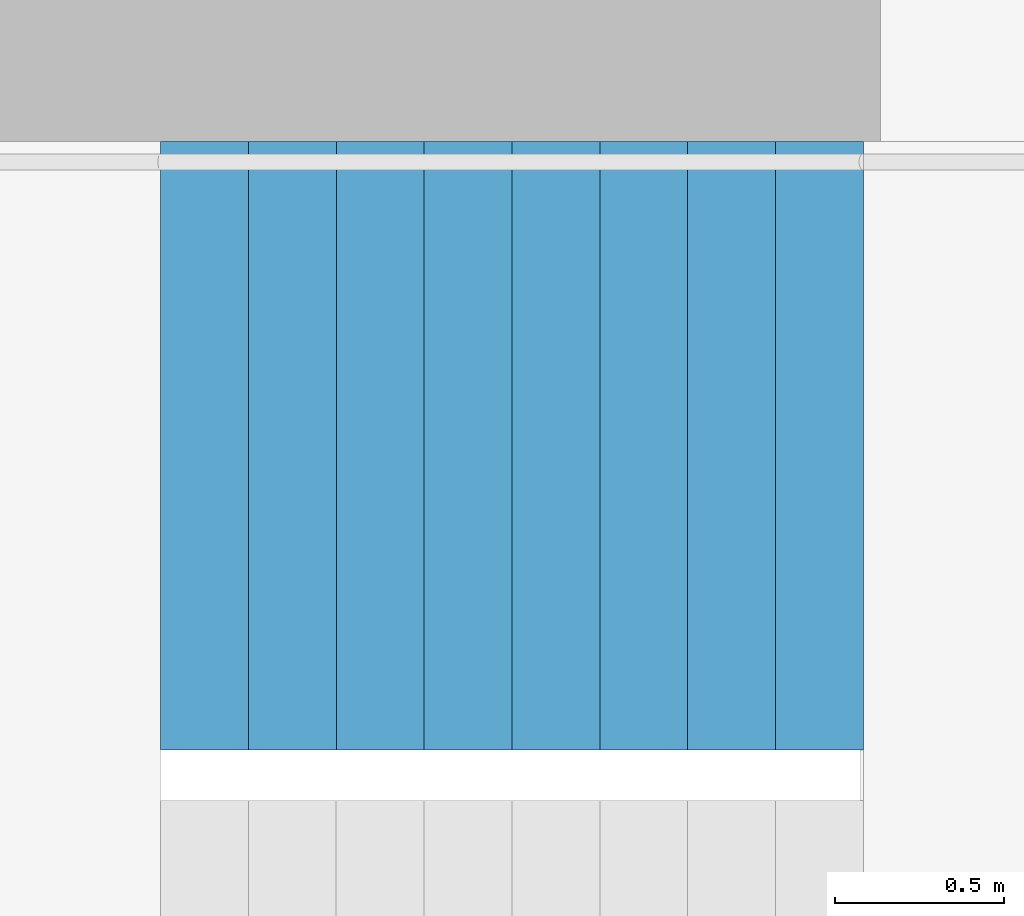
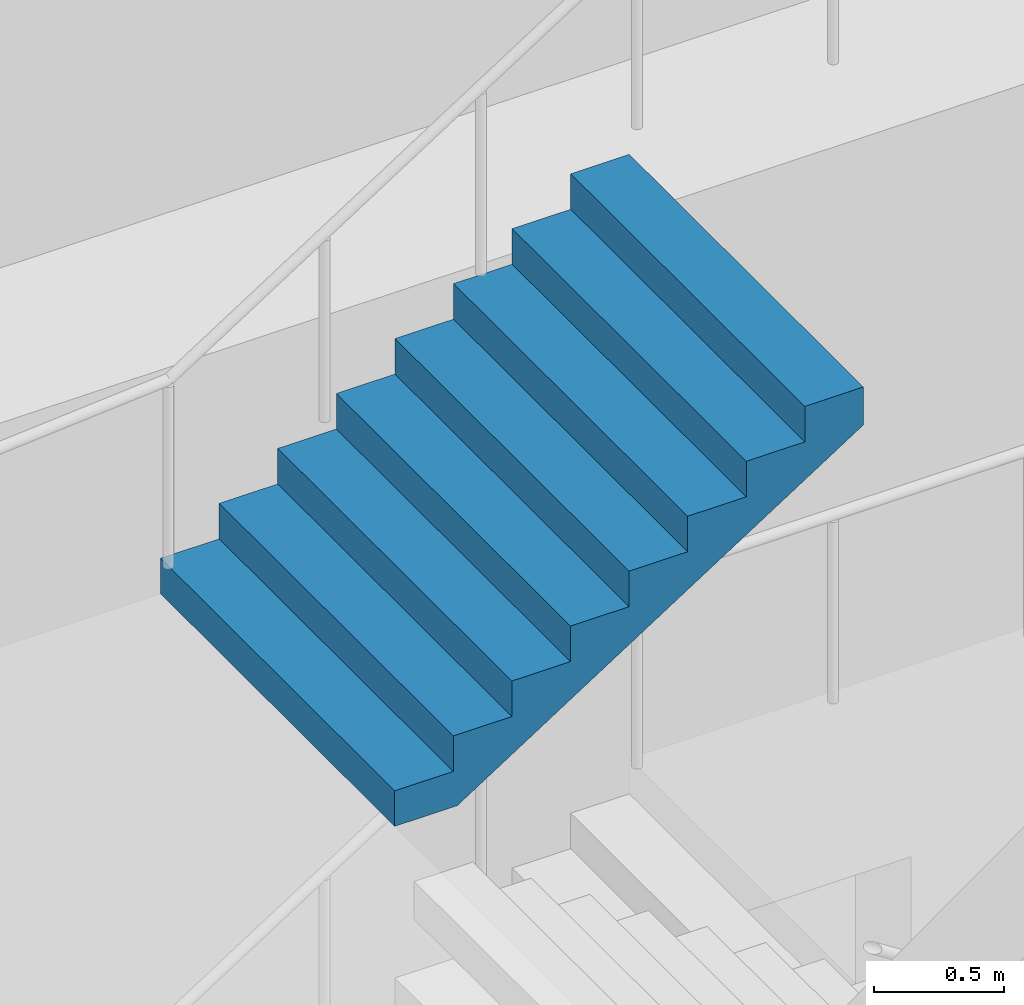
# One storey, part 33 of 35: 1 stair flight, 1 element without a shape of its own.
"""IFC4 building model written with IfcOpenShell, lengths in metres."""

from ifc_helpers import new_model, si_unit, direction, frame, origin, place, context, subcontext, project, spatial, triangles, material, type_object, element, aggregate, save


model = new_model("IFC4")

# Units and contexts
model_context = context("Model", 3, precision=1e-05, world=origin(), true_north=direction((0.0, 1.0)))
body_context = subcontext(model_context, "Body", "Model", "MODEL_VIEW")
ifc_project = project(units=[si_unit("LENGTHUNIT", "METRE"), si_unit("AREAUNIT", "SQUARE_METRE"), si_unit("VOLUMEUNIT", "CUBIC_METRE"), si_unit("PLANEANGLEUNIT", "RADIAN"), si_unit("MASSUNIT", "GRAM", prefix="KILO")], contexts=[model_context])

# Site, building, storey
site_placement = place(None, origin())
site = spatial("IfcSite", under=ifc_project, at=site_placement, CompositionType="ELEMENT")
building_placement = place(site_placement, origin())
building = spatial("IfcBuilding", under=site, at=building_placement, Name="Hakoniwa Tower and Hamabe Station Hall", CompositionType="ELEMENT")
storey_placement = place(building_placement, frame((0.0, 0.0, 264.60009765625)))
storey = spatial("IfcBuildingStorey", under=building, at=storey_placement, Name="L75", CompositionType="ELEMENT", Elevation=264.60009765625)

# Stair, stair flight
ifc_material_1 = material(Name="Concrete C40", Category="concrete")
stair_type = type_object("IfcStairType", Name="ESCAPE STAIR 1800", PredefinedType="HALF_TURN_STAIR", material=ifc_material_1)
stair_placement = place(storey_placement, origin())
stair = element("IfcStair", 1, at=stair_placement, inside=storey, type_object=stair_type, Name="Escape stair ST-3 L75", PredefinedType="HALF_TURN_STAIR")
ifc_material_2 = material(Name="Concrete C40", Category="concrete")
stair_flight_type = type_object("IfcStairFlightType", Name="STAIR FLIGHT 1800", PredefinedType="STRAIGHT", material=ifc_material_2)
stair_flight_placement = place(storey_placement, frame((22.320068359375, 6.60009765625, 4.5), z_axis=(0.0, 0.0, 1.0), x_axis=(1.0, 0.0, 0.0)))
stair_flight = element("IfcStairFlight", 2, at=stair_flight_placement, type_object=stair_flight_type, Name="ST-3 flight 4", NumberOfRisers=9, NumberOfTreads=8, PredefinedType="STRAIGHT", RiserHeight=0.166666667, TreadLength=0.26, context=body_context, shape_type="Tessellation", body=[
    triangles([(0.0, 0.89990234375, 0.0), (0.260009765625, 0.89990234375, 0.0), (0.27783203125, 0.89990234375, 0.0), (0.52001953125, 0.89990234375, 0.1552734375), (0.780029296875, 0.89990234375, 0.322021484375), (1.0400390625, 0.89990234375, 0.488525390625), (1.300048828125, 0.89990234375, 0.6552734375), (1.56005859375, 0.89990234375, 0.822021484375), (1.820068359375, 0.89990234375, 0.988525390625), (2.080078125, 0.89990234375, 1.1552734375), (2.080078125, 0.89990234375, 1.333251953125), (1.820068359375, 0.89990234375, 1.333251953125), (1.820068359375, 0.89990234375, 1.166748046875), (1.56005859375, 0.89990234375, 1.166748046875), (1.56005859375, 0.89990234375, 1.0), (1.300048828125, 0.89990234375, 1.0), (1.300048828125, 0.89990234375, 0.833251953125), (1.0400390625, 0.89990234375, 0.833251953125), (1.0400390625, 0.89990234375, 0.666748046875), (0.780029296875, 0.89990234375, 0.666748046875), (0.780029296875, 0.89990234375, 0.5), (0.52001953125, 0.89990234375, 0.5), (0.52001953125, 0.89990234375, 0.333251953125), (0.27783203125, 0.89990234375, 0.333251953125), (0.260009765625, 0.89990234375, 0.333251953125), (0.260009765625, 0.89990234375, 0.166748046875), (0.0, 0.89990234375, 0.166748046875), (0.0, 0.06005859375, 0.0), (0.260009765625, 0.06005859375, 0.0), (0.27783203125, 0.06005859375, 0.0), (0.52001953125, 0.06005859375, 0.1552734375), (0.780029296875, 0.06005859375, 0.322021484375), (1.0400390625, 0.06005859375, 0.488525390625), (1.300048828125, 0.06005859375, 0.6552734375), (1.56005859375, 0.06005859375, 0.822021484375), (1.820068359375, 0.06005859375, 0.988525390625), (2.080078125, 0.06005859375, 1.1552734375), (2.080078125, 0.06005859375, 1.333251953125), (1.820068359375, 0.06005859375, 1.333251953125), (1.820068359375, 0.06005859375, 1.166748046875), (1.56005859375, 0.06005859375, 1.166748046875), (1.56005859375, 0.06005859375, 1.0), (1.300048828125, 0.06005859375, 1.0), (1.300048828125, 0.06005859375, 0.833251953125), (1.0400390625, 0.06005859375, 0.833251953125), (1.0400390625, 0.06005859375, 0.666748046875), (0.780029296875, 0.06005859375, 0.666748046875), (0.780029296875, 0.06005859375, 0.5), (0.52001953125, 0.06005859375, 0.5), (0.52001953125, 0.06005859375, 0.333251953125), (0.27783203125, 0.06005859375, 0.333251953125), (0.260009765625, 0.06005859375, 0.333251953125), (0.260009765625, 0.06005859375, 0.166748046875), (0.0, 0.06005859375, 0.166748046875), (0.0, 0.04296875, 0.0), (0.260009765625, 0.04296875, 0.0), (0.27783203125, 0.04296875, 0.0), (0.52001953125, 0.04296875, 0.1552734375), (0.780029296875, 0.04296875, 0.322021484375), (1.0400390625, 0.04296875, 0.488525390625), (1.300048828125, 0.04296875, 0.6552734375), (1.56005859375, 0.04296875, 0.822021484375), (1.820068359375, 0.04296875, 0.988525390625), (2.080078125, 0.04296875, 1.1552734375), (2.080078125, 0.04296875, 1.333251953125), (1.820068359375, 0.04296875, 1.333251953125), (1.820068359375, 0.04296875, 1.166748046875), (1.56005859375, 0.04296875, 1.166748046875), (1.56005859375, 0.04296875, 1.0), (1.300048828125, 0.04296875, 1.0), (1.300048828125, 0.04296875, 0.833251953125), (1.0400390625, 0.04296875, 0.833251953125), (1.0400390625, 0.04296875, 0.666748046875), (0.780029296875, 0.04296875, 0.666748046875), (0.780029296875, 0.04296875, 0.5), (0.52001953125, 0.04296875, 0.5), (0.52001953125, 0.04296875, 0.333251953125), (0.27783203125, 0.04296875, 0.333251953125), (0.260009765625, 0.04296875, 0.333251953125), (0.260009765625, 0.04296875, 0.166748046875), (0.0, 0.04296875, 0.166748046875), (0.0, 0.025634765625, 0.0), (0.260009765625, 0.025634765625, 0.0), (0.27783203125, 0.025634765625, 0.0), (0.52001953125, 0.025634765625, 0.1552734375), (0.780029296875, 0.025634765625, 0.322021484375), (1.0400390625, 0.025634765625, 0.488525390625), (1.300048828125, 0.025634765625, 0.6552734375), (1.56005859375, 0.025634765625, 0.822021484375), (1.820068359375, 0.025634765625, 0.988525390625), (2.080078125, 0.025634765625, 1.1552734375), (2.080078125, 0.025634765625, 1.333251953125), (1.820068359375, 0.025634765625, 1.333251953125), (1.820068359375, 0.025634765625, 1.166748046875), (1.56005859375, 0.025634765625, 1.166748046875), (1.56005859375, 0.025634765625, 1.0), (1.300048828125, 0.025634765625, 1.0), (1.300048828125, 0.025634765625, 0.833251953125), (1.0400390625, 0.025634765625, 0.833251953125), (1.0400390625, 0.025634765625, 0.666748046875), (0.780029296875, 0.025634765625, 0.666748046875), (0.780029296875, 0.025634765625, 0.5), (0.52001953125, 0.025634765625, 0.5), (0.52001953125, 0.025634765625, 0.333251953125), (0.27783203125, 0.025634765625, 0.333251953125), (0.260009765625, 0.025634765625, 0.333251953125), (0.260009765625, 0.025634765625, 0.166748046875), (0.0, 0.025634765625, 0.166748046875), (0.0, 0.008544921875, 0.0), (0.260009765625, 0.008544921875, 0.0), (0.27783203125, 0.008544921875, 0.0), (0.52001953125, 0.008544921875, 0.1552734375), (0.780029296875, 0.008544921875, 0.322021484375), (1.0400390625, 0.008544921875, 0.488525390625), (1.300048828125, 0.008544921875, 0.6552734375), (1.56005859375, 0.008544921875, 0.822021484375), (1.820068359375, 0.008544921875, 0.988525390625), (2.080078125, 0.008544921875, 1.1552734375), (2.080078125, 0.008544921875, 1.333251953125), (1.820068359375, 0.008544921875, 1.333251953125), (1.820068359375, 0.008544921875, 1.166748046875), (1.56005859375, 0.008544921875, 1.166748046875), (1.56005859375, 0.008544921875, 1.0), (1.300048828125, 0.008544921875, 1.0), (1.300048828125, 0.008544921875, 0.833251953125), (1.0400390625, 0.008544921875, 0.833251953125), (1.0400390625, 0.008544921875, 0.666748046875), (0.780029296875, 0.008544921875, 0.666748046875), (0.780029296875, 0.008544921875, 0.5), (0.52001953125, 0.008544921875, 0.5), (0.52001953125, 0.008544921875, 0.333251953125), (0.27783203125, 0.008544921875, 0.333251953125), (0.260009765625, 0.008544921875, 0.333251953125), (0.260009765625, 0.008544921875, 0.166748046875), (0.0, 0.008544921875, 0.166748046875), (0.0, -0.008544921875, 0.0), (0.260009765625, -0.008544921875, 0.0), (0.27783203125, -0.008544921875, 0.0), (0.52001953125, -0.008544921875, 0.1552734375), (0.780029296875, -0.008544921875, 0.322021484375), (1.0400390625, -0.008544921875, 0.488525390625), (1.300048828125, -0.008544921875, 0.6552734375), (1.56005859375, -0.008544921875, 0.822021484375), (1.820068359375, -0.008544921875, 0.988525390625), (2.080078125, -0.008544921875, 1.1552734375), (2.080078125, -0.008544921875, 1.333251953125), (1.820068359375, -0.008544921875, 1.333251953125), (1.820068359375, -0.008544921875, 1.166748046875), (1.56005859375, -0.008544921875, 1.166748046875), (1.56005859375, -0.008544921875, 1.0), (1.300048828125, -0.008544921875, 1.0), (1.300048828125, -0.008544921875, 0.833251953125), (1.0400390625, -0.008544921875, 0.833251953125), (1.0400390625, -0.008544921875, 0.666748046875), (0.780029296875, -0.008544921875, 0.666748046875), (0.780029296875, -0.008544921875, 0.5), (0.52001953125, -0.008544921875, 0.5), (0.52001953125, -0.008544921875, 0.333251953125), (0.27783203125, -0.008544921875, 0.333251953125), (0.260009765625, -0.008544921875, 0.333251953125), (0.260009765625, -0.008544921875, 0.166748046875), (0.0, -0.008544921875, 0.166748046875), (0.0, -0.025634765625, 0.0), (0.260009765625, -0.025634765625, 0.0), (0.27783203125, -0.025634765625, 0.0), (0.52001953125, -0.025634765625, 0.1552734375), (0.780029296875, -0.025634765625, 0.322021484375), (1.0400390625, -0.025634765625, 0.488525390625), (1.300048828125, -0.025634765625, 0.6552734375), (1.56005859375, -0.025634765625, 0.822021484375), (1.820068359375, -0.025634765625, 0.988525390625), (2.080078125, -0.025634765625, 1.1552734375), (2.080078125, -0.025634765625, 1.333251953125), (1.820068359375, -0.025634765625, 1.333251953125), (1.820068359375, -0.025634765625, 1.166748046875), (1.56005859375, -0.025634765625, 1.166748046875), (1.56005859375, -0.025634765625, 1.0), (1.300048828125, -0.025634765625, 1.0), (1.300048828125, -0.025634765625, 0.833251953125), (1.0400390625, -0.025634765625, 0.833251953125), (1.0400390625, -0.025634765625, 0.666748046875), (0.780029296875, -0.025634765625, 0.666748046875), (0.780029296875, -0.025634765625, 0.5), (0.52001953125, -0.025634765625, 0.5), (0.52001953125, -0.025634765625, 0.333251953125), (0.27783203125, -0.025634765625, 0.333251953125), (0.260009765625, -0.025634765625, 0.333251953125), (0.260009765625, -0.025634765625, 0.166748046875), (0.0, -0.025634765625, 0.166748046875), (0.0, -0.04296875, 0.0), (0.260009765625, -0.04296875, 0.0), (0.27783203125, -0.04296875, 0.0), (0.52001953125, -0.04296875, 0.1552734375), (0.780029296875, -0.04296875, 0.322021484375), (1.0400390625, -0.04296875, 0.488525390625), (1.300048828125, -0.04296875, 0.6552734375), (1.56005859375, -0.04296875, 0.822021484375), (1.820068359375, -0.04296875, 0.988525390625), (2.080078125, -0.04296875, 1.1552734375), (2.080078125, -0.04296875, 1.333251953125), (1.820068359375, -0.04296875, 1.333251953125), (1.820068359375, -0.04296875, 1.166748046875), (1.56005859375, -0.04296875, 1.166748046875), (1.56005859375, -0.04296875, 1.0), (1.300048828125, -0.04296875, 1.0), (1.300048828125, -0.04296875, 0.833251953125), (1.0400390625, -0.04296875, 0.833251953125), (1.0400390625, -0.04296875, 0.666748046875), (0.780029296875, -0.04296875, 0.666748046875), (0.780029296875, -0.04296875, 0.5), (0.52001953125, -0.04296875, 0.5), (0.52001953125, -0.04296875, 0.333251953125), (0.27783203125, -0.04296875, 0.333251953125), (0.260009765625, -0.04296875, 0.333251953125), (0.260009765625, -0.04296875, 0.166748046875), (0.0, -0.04296875, 0.166748046875), (0.0, -0.06005859375, 0.0), (0.260009765625, -0.06005859375, 0.0), (0.27783203125, -0.06005859375, 0.0), (0.52001953125, -0.06005859375, 0.1552734375), (0.780029296875, -0.06005859375, 0.322021484375), (1.0400390625, -0.06005859375, 0.488525390625), (1.300048828125, -0.06005859375, 0.6552734375), (1.56005859375, -0.06005859375, 0.822021484375), (1.820068359375, -0.06005859375, 0.988525390625), (2.080078125, -0.06005859375, 1.1552734375), (2.080078125, -0.06005859375, 1.333251953125), (1.820068359375, -0.06005859375, 1.333251953125), (1.820068359375, -0.06005859375, 1.166748046875), (1.56005859375, -0.06005859375, 1.166748046875), (1.56005859375, -0.06005859375, 1.0), (1.300048828125, -0.06005859375, 1.0), (1.300048828125, -0.06005859375, 0.833251953125), (1.0400390625, -0.06005859375, 0.833251953125), (1.0400390625, -0.06005859375, 0.666748046875), (0.780029296875, -0.06005859375, 0.666748046875), (0.780029296875, -0.06005859375, 0.5), (0.52001953125, -0.06005859375, 0.5), (0.52001953125, -0.06005859375, 0.333251953125), (0.27783203125, -0.06005859375, 0.333251953125), (0.260009765625, -0.06005859375, 0.333251953125), (0.260009765625, -0.06005859375, 0.166748046875), (0.0, -0.06005859375, 0.166748046875), (0.0, -0.89990234375, 0.0), (0.260009765625, -0.89990234375, 0.0), (0.27783203125, -0.89990234375, 0.0), (0.52001953125, -0.89990234375, 0.1552734375), (0.780029296875, -0.89990234375, 0.322021484375), (1.0400390625, -0.89990234375, 0.488525390625), (1.300048828125, -0.89990234375, 0.6552734375), (1.56005859375, -0.89990234375, 0.822021484375), (1.820068359375, -0.89990234375, 0.988525390625), (2.080078125, -0.89990234375, 1.1552734375), (2.080078125, -0.89990234375, 1.333251953125), (1.820068359375, -0.89990234375, 1.333251953125), (1.820068359375, -0.89990234375, 1.166748046875), (1.56005859375, -0.89990234375, 1.166748046875), (1.56005859375, -0.89990234375, 1.0), (1.300048828125, -0.89990234375, 1.0), (1.300048828125, -0.89990234375, 0.833251953125), (1.0400390625, -0.89990234375, 0.833251953125), (1.0400390625, -0.89990234375, 0.666748046875), (0.780029296875, -0.89990234375, 0.666748046875), (0.780029296875, -0.89990234375, 0.5), (0.52001953125, -0.89990234375, 0.5), (0.52001953125, -0.89990234375, 0.333251953125), (0.27783203125, -0.89990234375, 0.333251953125), (0.260009765625, -0.89990234375, 0.333251953125), (0.260009765625, -0.89990234375, 0.166748046875), (0.0, -0.89990234375, 0.166748046875)], [[2, 27, 26], [245, 269, 270], [2, 1, 27], [245, 270, 244], [3, 25, 24], [246, 267, 268], [3, 26, 25], [246, 268, 269], [3, 2, 26], [246, 269, 245], [4, 24, 23], [247, 266, 267], [4, 3, 24], [247, 267, 246], [5, 22, 21], [248, 264, 265], [5, 23, 22], [248, 265, 266], [5, 4, 23], [248, 266, 247], [6, 20, 19], [249, 262, 263], [6, 21, 20], [249, 263, 264], [6, 5, 21], [249, 264, 248], [7, 18, 17], [250, 260, 261], [7, 19, 18], [250, 261, 262], [7, 6, 19], [250, 262, 249], [8, 16, 15], [251, 258, 259], [8, 17, 16], [251, 259, 260], [8, 7, 17], [251, 260, 250], [9, 14, 13], [252, 256, 257], [9, 15, 14], [252, 257, 258], [9, 8, 15], [252, 258, 251], [10, 12, 11], [253, 254, 255], [10, 13, 12], [253, 255, 256], [10, 9, 13], [253, 256, 252], [1, 2, 29], [1, 29, 28], [28, 29, 56], [28, 56, 55], [55, 56, 83], [55, 83, 82], [82, 83, 110], [82, 110, 109], [109, 110, 137], [109, 137, 136], [136, 137, 164], [136, 164, 163], [163, 164, 191], [163, 191, 190], [190, 191, 218], [190, 218, 217], [217, 218, 245], [217, 245, 244], [2, 3, 30], [2, 30, 29], [29, 30, 57], [29, 57, 56], [56, 57, 84], [56, 84, 83], [83, 84, 111], [83, 111, 110], [110, 111, 138], [110, 138, 137], [137, 138, 165], [137, 165, 164], [164, 165, 192], [164, 192, 191], [191, 192, 219], [191, 219, 218], [218, 219, 246], [218, 246, 245], [3, 4, 31], [3, 31, 30], [30, 31, 58], [30, 58, 57], [57, 58, 85], [57, 85, 84], [84, 85, 112], [84, 112, 111], [111, 112, 139], [111, 139, 138], [138, 139, 166], [138, 166, 165], [165, 166, 193], [165, 193, 192], [192, 193, 220], [192, 220, 219], [219, 220, 247], [219, 247, 246], [4, 5, 32], [4, 32, 31], [31, 32, 59], [31, 59, 58], [58, 59, 86], [58, 86, 85], [85, 86, 113], [85, 113, 112], [112, 113, 140], [112, 140, 139], [139, 140, 167], [139, 167, 166], [166, 167, 194], [166, 194, 193], [193, 194, 221], [193, 221, 220], [220, 221, 248], [220, 248, 247], [5, 6, 33], [5, 33, 32], [32, 33, 60], [32, 60, 59], [59, 60, 87], [59, 87, 86], [86, 87, 114], [86, 114, 113], [113, 114, 141], [113, 141, 140], [140, 141, 168], [140, 168, 167], [167, 168, 195], [167, 195, 194], [194, 195, 222], [194, 222, 221], [221, 222, 249], [221, 249, 248], [6, 7, 34], [6, 34, 33], [33, 34, 61], [33, 61, 60], [60, 61, 88], [60, 88, 87], [87, 88, 115], [87, 115, 114], [114, 115, 142], [114, 142, 141], [141, 142, 169], [141, 169, 168], [168, 169, 196], [168, 196, 195], [195, 196, 223], [195, 223, 222], [222, 223, 250], [222, 250, 249], [7, 8, 35], [7, 35, 34], [34, 35, 62], [34, 62, 61], [61, 62, 89], [61, 89, 88], [88, 89, 116], [88, 116, 115], [115, 116, 143], [115, 143, 142], [142, 143, 170], [142, 170, 169], [169, 170, 197], [169, 197, 196], [196, 197, 224], [196, 224, 223], [223, 224, 251], [223, 251, 250], [8, 9, 36], [8, 36, 35], [35, 36, 63], [35, 63, 62], [62, 63, 90], [62, 90, 89], [89, 90, 117], [89, 117, 116], [116, 117, 144], [116, 144, 143], [143, 144, 171], [143, 171, 170], [170, 171, 198], [170, 198, 197], [197, 198, 225], [197, 225, 224], [224, 225, 252], [224, 252, 251], [9, 10, 37], [9, 37, 36], [36, 37, 64], [36, 64, 63], [63, 64, 91], [63, 91, 90], [90, 91, 118], [90, 118, 117], [117, 118, 145], [117, 145, 144], [144, 145, 172], [144, 172, 171], [171, 172, 199], [171, 199, 198], [198, 199, 226], [198, 226, 225], [225, 226, 253], [225, 253, 252], [10, 11, 38], [10, 38, 37], [37, 38, 65], [37, 65, 64], [64, 65, 92], [64, 92, 91], [91, 92, 119], [91, 119, 118], [118, 119, 146], [118, 146, 145], [145, 146, 173], [145, 173, 172], [172, 173, 200], [172, 200, 199], [199, 200, 227], [199, 227, 226], [226, 227, 254], [226, 254, 253], [11, 12, 39], [11, 39, 38], [38, 39, 66], [38, 66, 65], [65, 66, 93], [65, 93, 92], [92, 93, 120], [92, 120, 119], [119, 120, 147], [119, 147, 146], [146, 147, 174], [146, 174, 173], [173, 174, 201], [173, 201, 200], [200, 201, 228], [200, 228, 227], [227, 228, 255], [227, 255, 254], [12, 13, 40], [12, 40, 39], [39, 40, 67], [39, 67, 66], [66, 67, 94], [66, 94, 93], [93, 94, 121], [93, 121, 120], [120, 121, 148], [120, 148, 147], [147, 148, 175], [147, 175, 174], [174, 175, 202], [174, 202, 201], [201, 202, 229], [201, 229, 228], [228, 229, 256], [228, 256, 255], [13, 14, 41], [13, 41, 40], [40, 41, 68], [40, 68, 67], [67, 68, 95], [67, 95, 94], [94, 95, 122], [94, 122, 121], [121, 122, 149], [121, 149, 148], [148, 149, 176], [148, 176, 175], [175, 176, 203], [175, 203, 202], [202, 203, 230], [202, 230, 229], [229, 230, 257], [229, 257, 256], [14, 15, 42], [14, 42, 41], [41, 42, 69], [41, 69, 68], [68, 69, 96], [68, 96, 95], [95, 96, 123], [95, 123, 122], [122, 123, 150], [122, 150, 149], [149, 150, 177], [149, 177, 176], [176, 177, 204], [176, 204, 203], [203, 204, 231], [203, 231, 230], [230, 231, 258], [230, 258, 257], [15, 16, 43], [15, 43, 42], [42, 43, 70], [42, 70, 69], [69, 70, 97], [69, 97, 96], [96, 97, 124], [96, 124, 123], [123, 124, 151], [123, 151, 150], [150, 151, 178], [150, 178, 177], [177, 178, 205], [177, 205, 204], [204, 205, 232], [204, 232, 231], [231, 232, 259], [231, 259, 258], [16, 17, 44], [16, 44, 43], [43, 44, 71], [43, 71, 70], [70, 71, 98], [70, 98, 97], [97, 98, 125], [97, 125, 124], [124, 125, 152], [124, 152, 151], [151, 152, 179], [151, 179, 178], [178, 179, 206], [178, 206, 205], [205, 206, 233], [205, 233, 232], [232, 233, 260], [232, 260, 259], [17, 18, 45], [17, 45, 44], [44, 45, 72], [44, 72, 71], [71, 72, 99], [71, 99, 98], [98, 99, 126], [98, 126, 125], [125, 126, 153], [125, 153, 152], [152, 153, 180], [152, 180, 179], [179, 180, 207], [179, 207, 206], [206, 207, 234], [206, 234, 233], [233, 234, 261], [233, 261, 260], [18, 19, 46], [18, 46, 45], [45, 46, 73], [45, 73, 72], [72, 73, 100], [72, 100, 99], [99, 100, 127], [99, 127, 126], [126, 127, 154], [126, 154, 153], [153, 154, 181], [153, 181, 180], [180, 181, 208], [180, 208, 207], [207, 208, 235], [207, 235, 234], [234, 235, 262], [234, 262, 261], [19, 20, 47], [19, 47, 46], [46, 47, 74], [46, 74, 73], [73, 74, 101], [73, 101, 100], [100, 101, 128], [100, 128, 127], [127, 128, 155], [127, 155, 154], [154, 155, 182], [154, 182, 181], [181, 182, 209], [181, 209, 208], [208, 209, 236], [208, 236, 235], [235, 236, 263], [235, 263, 262], [20, 21, 48], [20, 48, 47], [47, 48, 75], [47, 75, 74], [74, 75, 102], [74, 102, 101], [101, 102, 129], [101, 129, 128], [128, 129, 156], [128, 156, 155], [155, 156, 183], [155, 183, 182], [182, 183, 210], [182, 210, 209], [209, 210, 237], [209, 237, 236], [236, 237, 264], [236, 264, 263], [21, 22, 49], [21, 49, 48], [48, 49, 76], [48, 76, 75], [75, 76, 103], [75, 103, 102], [102, 103, 130], [102, 130, 129], [129, 130, 157], [129, 157, 156], [156, 157, 184], [156, 184, 183], [183, 184, 211], [183, 211, 210], [210, 211, 238], [210, 238, 237], [237, 238, 265], [237, 265, 264], [22, 23, 50], [22, 50, 49], [49, 50, 77], [49, 77, 76], [76, 77, 104], [76, 104, 103], [103, 104, 131], [103, 131, 130], [130, 131, 158], [130, 158, 157], [157, 158, 185], [157, 185, 184], [184, 185, 212], [184, 212, 211], [211, 212, 239], [211, 239, 238], [238, 239, 266], [238, 266, 265], [23, 24, 51], [23, 51, 50], [50, 51, 78], [50, 78, 77], [77, 78, 105], [77, 105, 104], [104, 105, 132], [104, 132, 131], [131, 132, 159], [131, 159, 158], [158, 159, 186], [158, 186, 185], [185, 186, 213], [185, 213, 212], [212, 213, 240], [212, 240, 239], [239, 240, 267], [239, 267, 266], [24, 25, 52], [24, 52, 51], [51, 52, 79], [51, 79, 78], [78, 79, 106], [78, 106, 105], [105, 106, 133], [105, 133, 132], [132, 133, 160], [132, 160, 159], [159, 160, 187], [159, 187, 186], [186, 187, 214], [186, 214, 213], [213, 214, 241], [213, 241, 240], [240, 241, 268], [240, 268, 267], [25, 26, 53], [25, 53, 52], [52, 53, 80], [52, 80, 79], [79, 80, 107], [79, 107, 106], [106, 107, 134], [106, 134, 133], [133, 134, 161], [133, 161, 160], [160, 161, 188], [160, 188, 187], [187, 188, 215], [187, 215, 214], [214, 215, 242], [214, 242, 241], [241, 242, 269], [241, 269, 268], [26, 27, 54], [26, 54, 53], [53, 54, 81], [53, 81, 80], [80, 81, 108], [80, 108, 107], [107, 108, 135], [107, 135, 134], [134, 135, 162], [134, 162, 161], [161, 162, 189], [161, 189, 188], [188, 189, 216], [188, 216, 215], [215, 216, 243], [215, 243, 242], [242, 243, 270], [242, 270, 269], [27, 1, 28], [27, 28, 54], [54, 28, 55], [54, 55, 81], [81, 55, 82], [81, 82, 108], [108, 82, 109], [108, 109, 135], [135, 109, 136], [135, 136, 162], [162, 136, 163], [162, 163, 189], [189, 163, 190], [189, 190, 216], [216, 190, 217], [216, 217, 243], [243, 217, 244], [243, 244, 270]], closed=True),
])
aggregate(stair, [stair_flight])

save(model, "model.ifc")
